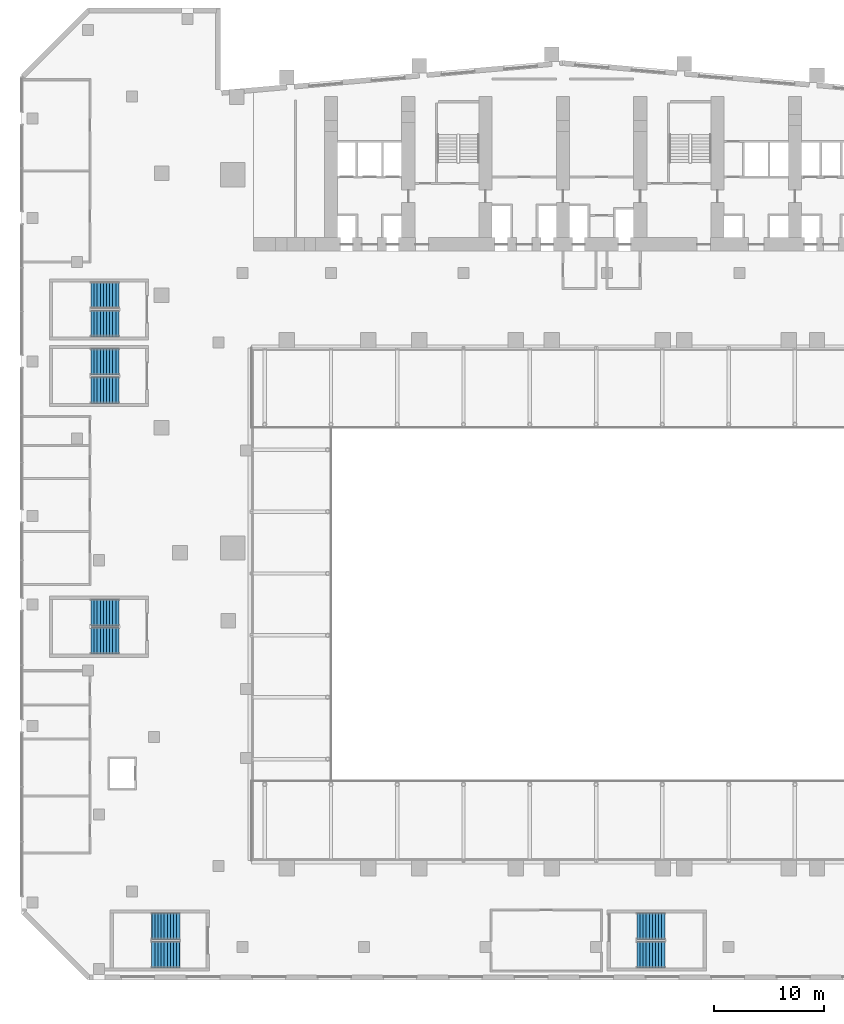
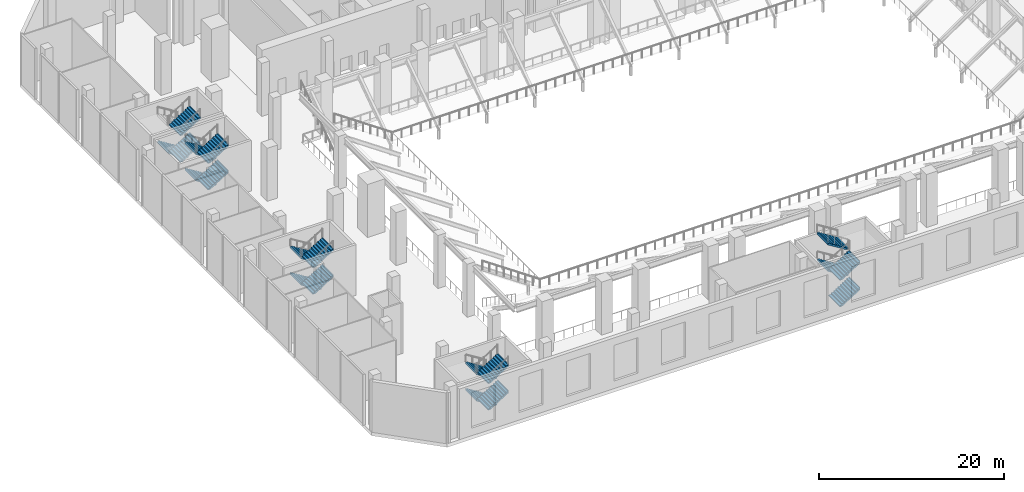
# One storey, part 28 of 41: 19 stair flights, 5 elements without a shape of their own.
"""IFC4 building model written with IfcOpenShell, lengths in metres."""

from ifc_helpers import new_model, si_unit, direction, frame, origin, place, context, subcontext, project, spatial, polyline, outline, extrude, material, type_object, element, aggregate, save


model = new_model("IFC4")

# Units and contexts
model_context = context("Model", 3, precision=1e-05, world=origin(), true_north=direction((0.0, 1.0)))
body_context = subcontext(model_context, "Body", "Model", "MODEL_VIEW")
ifc_project = project(units=[si_unit("LENGTHUNIT", "METRE"), si_unit("AREAUNIT", "SQUARE_METRE"), si_unit("VOLUMEUNIT", "CUBIC_METRE"), si_unit("PLANEANGLEUNIT", "RADIAN"), si_unit("MASSUNIT", "GRAM", prefix="KILO")], contexts=[model_context])

# Site, building, storey
site_placement = place(None, origin())
site = spatial("IfcSite", under=ifc_project, at=site_placement, CompositionType="ELEMENT")
building_placement = place(site_placement, origin())
building = spatial("IfcBuilding", under=site, at=building_placement, Name="Wharfspan Tower", CompositionType="ELEMENT")
storey_placement = place(building_placement, frame((0.0, 0.0, 8.0)))
storey = spatial("IfcBuildingStorey", under=building, at=storey_placement, Name="L01", CompositionType="ELEMENT", Elevation=8.0)

# Stair, stair flights
ifc_material = material(Name="Concrete C40/50", Category="concrete")
stair_type = type_object("IfcStairType", Name="Half-turn stair 2400 wide 40 risers 175 mm", PredefinedType="HALF_TURN_STAIR", material=ifc_material)
stair_1_placement = place(storey_placement, origin())
stair_1 = element("IfcStair", 1, at=stair_1_placement, inside=storey, type_object=stair_type, Name="L01 stair AS1", PredefinedType="HALF_TURN_STAIR")
stair_flight_type = type_object("IfcStairFlightType", Name="Stair flight 2400 wide 40 risers 175 mm", PredefinedType="STRAIGHT", material=ifc_material)
stair_flight_1_placement = place(storey_placement, frame((2.300049, -27.149902, 0.0), z_axis=(0.0, 0.0, 1.0), x_axis=(-1.0, 0.0, 0.0)))
stair_flight_1 = element("IfcStairFlight", 2, at=stair_flight_1_placement, type_object=stair_flight_type, Name="AS1 flight 1", NumberOfRisers=10, NumberOfTreads=9, PredefinedType="STRAIGHT", RiserHeight=0.175, TreadLength=0.28, context=body_context, shape_type="SweptSolid", body=[
    extrude(outline(polyline([(-0.011963, 0.0), (-0.011963, 0.175049), (0.0, 0.175049), (0.280029, 0.175049), (0.280029, 0.350098), (0.560059, 0.350098), (0.560059, 0.524902), (0.840088, 0.524902), (0.840088, 0.699951), (1.120117, 0.699951), (1.120117, 0.875), (1.399902, 0.875), (1.399902, 1.050049), (1.679932, 1.050049), (1.679932, 1.225098), (1.959961, 1.225098), (1.959961, 1.399902), (2.23999, 1.399902), (2.23999, 1.574951), (2.52002, 1.574951), (2.531982, 1.75), (2.531982, 1.398193), (0.282715, 0.0), (-0.011963, 0.0)])), frame((0.0, 1.199951, 0.0), z_axis=(0.0, -1.0, 0.0), x_axis=(1.0, 0.0, 0.0)), (0.0, 0.0, 1.0), 1.199463),
    extrude(outline(polyline([(-0.011963, 0.0), (-0.011963, 0.175049), (0.0, 0.175049), (0.280029, 0.175049), (0.280029, 0.350098), (0.560059, 0.350098), (0.560059, 0.524902), (0.840088, 0.524902), (0.840088, 0.699951), (1.120117, 0.699951), (1.120117, 0.875), (1.399902, 0.875), (1.399902, 1.050049), (1.679932, 1.050049), (1.679932, 1.225098), (1.959961, 1.225098), (1.959961, 1.399902), (2.23999, 1.399902), (2.23999, 1.574951), (2.52002, 1.574951), (2.531982, 1.75), (2.531982, 1.398193), (0.282715, 0.0), (-0.011963, 0.0)])), frame((0.0, -0.000488, 0.0), z_axis=(0.0, -1.0, 0.0), x_axis=(1.0, 0.0, 0.0)), (0.0, 0.0, 1.0), 1.199463),
])
stair_flight_2_placement = place(storey_placement, frame((-0.219971, -29.699951, 1.75), z_axis=(0.0, 0.0, 1.0), x_axis=(1.0, 0.0, 0.0)))
stair_flight_2 = element("IfcStairFlight", 3, at=stair_flight_2_placement, type_object=stair_flight_type, Name="AS1 flight 2", NumberOfRisers=10, NumberOfTreads=9, PredefinedType="STRAIGHT", RiserHeight=0.175, TreadLength=0.28, context=body_context, shape_type="SweptSolid", body=[
    extrude(outline(polyline([(-0.011963, 0.0), (-0.011963, 0.175049), (0.0, 0.175049), (0.280029, 0.175049), (0.280029, 0.350098), (0.560059, 0.350098), (0.560059, 0.524902), (0.840088, 0.524902), (0.840088, 0.699951), (1.120117, 0.699951), (1.120117, 0.875), (1.399902, 0.875), (1.399902, 1.050049), (1.679932, 1.050049), (1.679932, 1.225098), (1.959961, 1.225098), (1.959961, 1.399902), (2.23999, 1.399902), (2.23999, 1.574951), (2.52002, 1.574951), (2.531982, 1.75), (2.531982, 1.398193), (0.282715, 0.0), (-0.011963, 0.0)])), frame((0.0, 1.199951, 0.0), z_axis=(0.0, -1.0, 0.0), x_axis=(1.0, 0.0, 0.0)), (0.0, 0.0, 1.0), 1.199463),
    extrude(outline(polyline([(-0.011963, 0.0), (-0.011963, 0.175049), (0.0, 0.175049), (0.280029, 0.175049), (0.280029, 0.350098), (0.560059, 0.350098), (0.560059, 0.524902), (0.840088, 0.524902), (0.840088, 0.699951), (1.120117, 0.699951), (1.120117, 0.875), (1.399902, 0.875), (1.399902, 1.050049), (1.679932, 1.050049), (1.679932, 1.225098), (1.959961, 1.225098), (1.959961, 1.399902), (2.23999, 1.399902), (2.23999, 1.574951), (2.52002, 1.574951), (2.531982, 1.75), (2.531982, 1.398193), (0.282715, 0.0), (-0.011963, 0.0)])), frame((0.0, -0.000488, 0.0), z_axis=(0.0, -1.0, 0.0), x_axis=(1.0, 0.0, 0.0)), (0.0, 0.0, 1.0), 1.199463),
])
stair_flight_3_placement = place(storey_placement, frame((2.300049, -27.149902, 3.5), z_axis=(0.0, 0.0, 1.0), x_axis=(-1.0, 0.0, 0.0)))
stair_flight_3 = element("IfcStairFlight", 4, at=stair_flight_3_placement, type_object=stair_flight_type, Name="AS1 flight 3", NumberOfRisers=10, NumberOfTreads=9, PredefinedType="STRAIGHT", RiserHeight=0.175, TreadLength=0.28, context=body_context, shape_type="SweptSolid", body=[
    extrude(outline(polyline([(-0.011963, 0.0), (-0.011963, 0.175049), (0.0, 0.175049), (0.280029, 0.175049), (0.280029, 0.350098), (0.560059, 0.350098), (0.560059, 0.524902), (0.840088, 0.524902), (0.840088, 0.699951), (1.120117, 0.699951), (1.120117, 0.875), (1.399902, 0.875), (1.399902, 1.050049), (1.679932, 1.050049), (1.679932, 1.225098), (1.959961, 1.225098), (1.959961, 1.399902), (2.23999, 1.399902), (2.23999, 1.574951), (2.52002, 1.574951), (2.531982, 1.75), (2.531982, 1.398193), (0.282715, 0.0), (-0.011963, 0.0)])), frame((0.0, 1.199951, 0.0), z_axis=(0.0, -1.0, 0.0), x_axis=(1.0, 0.0, 0.0)), (0.0, 0.0, 1.0), 1.199463),
    extrude(outline(polyline([(-0.011963, 0.0), (-0.011963, 0.175049), (0.0, 0.175049), (0.280029, 0.175049), (0.280029, 0.350098), (0.560059, 0.350098), (0.560059, 0.524902), (0.840088, 0.524902), (0.840088, 0.699951), (1.120117, 0.699951), (1.120117, 0.875), (1.399902, 0.875), (1.399902, 1.050049), (1.679932, 1.050049), (1.679932, 1.225098), (1.959961, 1.225098), (1.959961, 1.399902), (2.23999, 1.399902), (2.23999, 1.574951), (2.52002, 1.574951), (2.531982, 1.75), (2.531982, 1.398193), (0.282715, 0.0), (-0.011963, 0.0)])), frame((0.0, -0.000488, 0.0), z_axis=(0.0, -1.0, 0.0), x_axis=(1.0, 0.0, 0.0)), (0.0, 0.0, 1.0), 1.199463),
])
stair_flight_4_placement = place(storey_placement, frame((-0.219971, -29.699951, 5.25), z_axis=(0.0, 0.0, 1.0), x_axis=(1.0, 0.0, 0.0)))
stair_flight_4 = element("IfcStairFlight", 5, at=stair_flight_4_placement, type_object=stair_flight_type, Name="AS1 flight 4", NumberOfRisers=10, NumberOfTreads=9, PredefinedType="STRAIGHT", RiserHeight=0.175, TreadLength=0.28, context=body_context, shape_type="SweptSolid", body=[
    extrude(outline(polyline([(-0.011963, 0.0), (-0.011963, 0.175049), (0.0, 0.175049), (0.280029, 0.175049), (0.280029, 0.350098), (0.560059, 0.350098), (0.560059, 0.524902), (0.840088, 0.524902), (0.840088, 0.699951), (1.120117, 0.699951), (1.120117, 0.875), (1.399902, 0.875), (1.399902, 1.050049), (1.679932, 1.050049), (1.679932, 1.225098), (1.959961, 1.225098), (1.959961, 1.399902), (2.23999, 1.399902), (2.23999, 1.574951), (2.52002, 1.574951), (2.531982, 1.75), (2.531982, 1.398193), (0.282715, 0.0), (-0.011963, 0.0)])), frame((0.0, 1.199951, 0.0), z_axis=(0.0, -1.0, 0.0), x_axis=(1.0, 0.0, 0.0)), (0.0, 0.0, 1.0), 1.199463),
    extrude(outline(polyline([(-0.011963, 0.0), (-0.011963, 0.175049), (0.0, 0.175049), (0.280029, 0.175049), (0.280029, 0.350098), (0.560059, 0.350098), (0.560059, 0.524902), (0.840088, 0.524902), (0.840088, 0.699951), (1.120117, 0.699951), (1.120117, 0.875), (1.399902, 0.875), (1.399902, 1.050049), (1.679932, 1.050049), (1.679932, 1.225098), (1.959961, 1.225098), (1.959961, 1.399902), (2.23999, 1.399902), (2.23999, 1.574951), (2.52002, 1.574951), (2.531982, 1.75), (2.531982, 1.398193), (0.282715, 0.0), (-0.011963, 0.0)])), frame((0.0, -0.000488, 0.0), z_axis=(0.0, -1.0, 0.0), x_axis=(1.0, 0.0, 0.0)), (0.0, 0.0, 1.0), 1.199463),
])
aggregate(stair_1, [stair_flight_1, stair_flight_2, stair_flight_3, stair_flight_4])

stair_2_placement = place(storey_placement, origin())
stair_2 = element("IfcStair", 6, at=stair_2_placement, inside=storey, type_object=stair_type, Name="L01 stair AS5", PredefinedType="HALF_TURN_STAIR")
stair_flight_5_placement = place(storey_placement, frame((43.699951, -29.699951, 0.0), z_axis=(0.0, 0.0, 1.0), x_axis=(1.0, 0.0, 0.0)))
stair_flight_5 = element("IfcStairFlight", 7, at=stair_flight_5_placement, type_object=stair_flight_type, Name="AS5 flight 1", NumberOfRisers=10, NumberOfTreads=9, PredefinedType="STRAIGHT", RiserHeight=0.175, TreadLength=0.28, context=body_context, shape_type="SweptSolid", body=[
    extrude(outline(polyline([(-0.011963, 0.0), (-0.011963, 0.175049), (0.0, 0.175049), (0.280029, 0.175049), (0.280029, 0.350098), (0.560059, 0.350098), (0.560059, 0.524902), (0.840088, 0.524902), (0.840088, 0.699951), (1.120117, 0.699951), (1.120117, 0.875), (1.399902, 0.875), (1.399902, 1.050049), (1.679932, 1.050049), (1.679932, 1.225098), (1.959961, 1.225098), (1.959961, 1.399902), (2.23999, 1.399902), (2.23999, 1.574951), (2.52002, 1.574951), (2.531982, 1.75), (2.531982, 1.398193), (0.282715, 0.0), (-0.011963, 0.0)])), frame((0.0, 1.199951, 0.0), z_axis=(0.0, -1.0, 0.0), x_axis=(1.0, 0.0, 0.0)), (0.0, 0.0, 1.0), 1.199463),
    extrude(outline(polyline([(-0.011963, 0.0), (-0.011963, 0.175049), (0.0, 0.175049), (0.280029, 0.175049), (0.280029, 0.350098), (0.560059, 0.350098), (0.560059, 0.524902), (0.840088, 0.524902), (0.840088, 0.699951), (1.120117, 0.699951), (1.120117, 0.875), (1.399902, 0.875), (1.399902, 1.050049), (1.679932, 1.050049), (1.679932, 1.225098), (1.959961, 1.225098), (1.959961, 1.399902), (2.23999, 1.399902), (2.23999, 1.574951), (2.52002, 1.574951), (2.531982, 1.75), (2.531982, 1.398193), (0.282715, 0.0), (-0.011963, 0.0)])), frame((0.0, -0.000488, 0.0), z_axis=(0.0, -1.0, 0.0), x_axis=(1.0, 0.0, 0.0)), (0.0, 0.0, 1.0), 1.199463),
])
stair_flight_6_placement = place(storey_placement, frame((46.219971, -27.149902, 1.75), z_axis=(0.0, 0.0, 1.0), x_axis=(-1.0, 0.0, 0.0)))
stair_flight_6 = element("IfcStairFlight", 8, at=stair_flight_6_placement, type_object=stair_flight_type, Name="AS5 flight 2", NumberOfRisers=10, NumberOfTreads=9, PredefinedType="STRAIGHT", RiserHeight=0.175, TreadLength=0.28, context=body_context, shape_type="SweptSolid", body=[
    extrude(outline(polyline([(-0.011963, 0.0), (-0.011963, 0.175049), (0.0, 0.175049), (0.280029, 0.175049), (0.280029, 0.350098), (0.560059, 0.350098), (0.560059, 0.524902), (0.840088, 0.524902), (0.840088, 0.699951), (1.120117, 0.699951), (1.120117, 0.875), (1.399902, 0.875), (1.399902, 1.050049), (1.679932, 1.050049), (1.679932, 1.225098), (1.959961, 1.225098), (1.959961, 1.399902), (2.23999, 1.399902), (2.23999, 1.574951), (2.52002, 1.574951), (2.531982, 1.75), (2.531982, 1.398193), (0.282715, 0.0), (-0.011963, 0.0)])), frame((0.0, 1.199951, 0.0), z_axis=(0.0, -1.0, 0.0), x_axis=(1.0, 0.0, 0.0)), (0.0, 0.0, 1.0), 1.199463),
    extrude(outline(polyline([(-0.011963, 0.0), (-0.011963, 0.175049), (0.0, 0.175049), (0.280029, 0.175049), (0.280029, 0.350098), (0.560059, 0.350098), (0.560059, 0.524902), (0.840088, 0.524902), (0.840088, 0.699951), (1.120117, 0.699951), (1.120117, 0.875), (1.399902, 0.875), (1.399902, 1.050049), (1.679932, 1.050049), (1.679932, 1.225098), (1.959961, 1.225098), (1.959961, 1.399902), (2.23999, 1.399902), (2.23999, 1.574951), (2.52002, 1.574951), (2.531982, 1.75), (2.531982, 1.398193), (0.282715, 0.0), (-0.011963, 0.0)])), frame((0.0, -0.000488, 0.0), z_axis=(0.0, -1.0, 0.0), x_axis=(1.0, 0.0, 0.0)), (0.0, 0.0, 1.0), 1.199463),
])
stair_flight_7_placement = place(storey_placement, frame((43.699951, -29.699951, 3.5), z_axis=(0.0, 0.0, 1.0), x_axis=(1.0, 0.0, 0.0)))
stair_flight_7 = element("IfcStairFlight", 9, at=stair_flight_7_placement, type_object=stair_flight_type, Name="AS5 flight 3", NumberOfRisers=10, NumberOfTreads=9, PredefinedType="STRAIGHT", RiserHeight=0.175, TreadLength=0.28, context=body_context, shape_type="SweptSolid", body=[
    extrude(outline(polyline([(-0.011963, 0.0), (-0.011963, 0.175049), (0.0, 0.175049), (0.280029, 0.175049), (0.280029, 0.350098), (0.560059, 0.350098), (0.560059, 0.524902), (0.840088, 0.524902), (0.840088, 0.699951), (1.120117, 0.699951), (1.120117, 0.875), (1.399902, 0.875), (1.399902, 1.050049), (1.679932, 1.050049), (1.679932, 1.225098), (1.959961, 1.225098), (1.959961, 1.399902), (2.23999, 1.399902), (2.23999, 1.574951), (2.52002, 1.574951), (2.531982, 1.75), (2.531982, 1.398193), (0.282715, 0.0), (-0.011963, 0.0)])), frame((0.0, 1.199951, 0.0), z_axis=(0.0, -1.0, 0.0), x_axis=(1.0, 0.0, 0.0)), (0.0, 0.0, 1.0), 1.199463),
    extrude(outline(polyline([(-0.011963, 0.0), (-0.011963, 0.175049), (0.0, 0.175049), (0.280029, 0.175049), (0.280029, 0.350098), (0.560059, 0.350098), (0.560059, 0.524902), (0.840088, 0.524902), (0.840088, 0.699951), (1.120117, 0.699951), (1.120117, 0.875), (1.399902, 0.875), (1.399902, 1.050049), (1.679932, 1.050049), (1.679932, 1.225098), (1.959961, 1.225098), (1.959961, 1.399902), (2.23999, 1.399902), (2.23999, 1.574951), (2.52002, 1.574951), (2.531982, 1.75), (2.531982, 1.398193), (0.282715, 0.0), (-0.011963, 0.0)])), frame((0.0, -0.000488, 0.0), z_axis=(0.0, -1.0, 0.0), x_axis=(1.0, 0.0, 0.0)), (0.0, 0.0, 1.0), 1.199463),
])
stair_flight_8_placement = place(storey_placement, frame((46.219971, -27.149902, 5.25), z_axis=(0.0, 0.0, 1.0), x_axis=(-1.0, 0.0, 0.0)))
stair_flight_8 = element("IfcStairFlight", 10, at=stair_flight_8_placement, type_object=stair_flight_type, Name="AS5 flight 4", NumberOfRisers=10, NumberOfTreads=9, PredefinedType="STRAIGHT", RiserHeight=0.175, TreadLength=0.28, context=body_context, shape_type="SweptSolid", body=[
    extrude(outline(polyline([(-0.011963, 0.0), (-0.011963, 0.175049), (0.0, 0.175049), (0.280029, 0.175049), (0.280029, 0.350098), (0.560059, 0.350098), (0.560059, 0.524902), (0.840088, 0.524902), (0.840088, 0.699951), (1.120117, 0.699951), (1.120117, 0.875), (1.399902, 0.875), (1.399902, 1.050049), (1.679932, 1.050049), (1.679932, 1.225098), (1.959961, 1.225098), (1.959961, 1.399902), (2.23999, 1.399902), (2.23999, 1.574951), (2.52002, 1.574951), (2.531982, 1.75), (2.531982, 1.398193), (0.282715, 0.0), (-0.011963, 0.0)])), frame((0.0, 1.199951, 0.0), z_axis=(0.0, -1.0, 0.0), x_axis=(1.0, 0.0, 0.0)), (0.0, 0.0, 1.0), 1.199463),
    extrude(outline(polyline([(-0.011963, 0.0), (-0.011963, 0.175049), (0.0, 0.175049), (0.280029, 0.175049), (0.280029, 0.350098), (0.560059, 0.350098), (0.560059, 0.524902), (0.840088, 0.524902), (0.840088, 0.699951), (1.120117, 0.699951), (1.120117, 0.875), (1.399902, 0.875), (1.399902, 1.050049), (1.679932, 1.050049), (1.679932, 1.225098), (1.959961, 1.225098), (1.959961, 1.399902), (2.23999, 1.399902), (2.23999, 1.574951), (2.52002, 1.574951), (2.531982, 1.75), (2.531982, 1.398193), (0.282715, 0.0), (-0.011963, 0.0)])), frame((0.0, -0.000488, 0.0), z_axis=(0.0, -1.0, 0.0), x_axis=(1.0, 0.0, 0.0)), (0.0, 0.0, 1.0), 1.199463),
])
aggregate(stair_2, [stair_flight_5, stair_flight_6, stair_flight_7, stair_flight_8])

stair_3_placement = place(storey_placement, origin())
stair_3 = element("IfcStair", 11, at=stair_3_placement, inside=storey, type_object=stair_type, Name="L01 stair AS7", PredefinedType="HALF_TURN_STAIR")
stair_flight_9_placement = place(storey_placement, frame((-3.199951, 1.25, 0.0), z_axis=(0.0, 0.0, 1.0), x_axis=(-1.0, 0.0, 0.0)))
stair_flight_9 = element("IfcStairFlight", 12, at=stair_flight_9_placement, type_object=stair_flight_type, Name="AS7 flight 1", NumberOfRisers=10, NumberOfTreads=9, PredefinedType="STRAIGHT", RiserHeight=0.175, TreadLength=0.28, context=body_context, shape_type="SweptSolid", body=[
    extrude(outline(polyline([(-0.011963, 0.0), (-0.011963, 0.175049), (0.0, 0.175049), (0.280029, 0.175049), (0.280029, 0.350098), (0.560059, 0.350098), (0.560059, 0.524902), (0.840088, 0.524902), (0.840088, 0.699951), (1.120117, 0.699951), (1.120117, 0.875), (1.399902, 0.875), (1.399902, 1.050049), (1.679932, 1.050049), (1.679932, 1.225098), (1.959961, 1.225098), (1.959961, 1.399902), (2.23999, 1.399902), (2.23999, 1.574951), (2.52002, 1.574951), (2.531982, 1.75), (2.531982, 1.398193), (0.282715, 0.0), (-0.011963, 0.0)])), frame((0.0, 1.199951, 0.0), z_axis=(0.0, -1.0, 0.0), x_axis=(1.0, 0.0, 0.0)), (0.0, 0.0, 1.0), 1.199463),
    extrude(outline(polyline([(-0.011963, 0.0), (-0.011963, 0.175049), (0.0, 0.175049), (0.280029, 0.175049), (0.280029, 0.350098), (0.560059, 0.350098), (0.560059, 0.524902), (0.840088, 0.524902), (0.840088, 0.699951), (1.120117, 0.699951), (1.120117, 0.875), (1.399902, 0.875), (1.399902, 1.050049), (1.679932, 1.050049), (1.679932, 1.225098), (1.959961, 1.225098), (1.959961, 1.399902), (2.23999, 1.399902), (2.23999, 1.574951), (2.52002, 1.574951), (2.531982, 1.75), (2.531982, 1.398193), (0.282715, 0.0), (-0.011963, 0.0)])), frame((0.0, -0.000488, 0.0), z_axis=(0.0, -1.0, 0.0), x_axis=(1.0, 0.0, 0.0)), (0.0, 0.0, 1.0), 1.199463),
])
stair_flight_10_placement = place(storey_placement, frame((-5.719971, -1.300049, 1.75), z_axis=(0.0, 0.0, 1.0), x_axis=(1.0, 0.0, 0.0)))
stair_flight_10 = element("IfcStairFlight", 13, at=stair_flight_10_placement, type_object=stair_flight_type, Name="AS7 flight 2", NumberOfRisers=10, NumberOfTreads=9, PredefinedType="STRAIGHT", RiserHeight=0.175, TreadLength=0.28, context=body_context, shape_type="SweptSolid", body=[
    extrude(outline(polyline([(-0.011963, 0.0), (-0.011963, 0.175049), (0.0, 0.175049), (0.280029, 0.175049), (0.280029, 0.350098), (0.560059, 0.350098), (0.560059, 0.524902), (0.840088, 0.524902), (0.840088, 0.699951), (1.120117, 0.699951), (1.120117, 0.875), (1.399902, 0.875), (1.399902, 1.050049), (1.679932, 1.050049), (1.679932, 1.225098), (1.959961, 1.225098), (1.959961, 1.399902), (2.23999, 1.399902), (2.23999, 1.574951), (2.52002, 1.574951), (2.531982, 1.75), (2.531982, 1.398193), (0.282715, 0.0), (-0.011963, 0.0)])), frame((0.0, 1.199951, 0.0), z_axis=(0.0, -1.0, 0.0), x_axis=(1.0, 0.0, 0.0)), (0.0, 0.0, 1.0), 1.199463),
    extrude(outline(polyline([(-0.011963, 0.0), (-0.011963, 0.175049), (0.0, 0.175049), (0.280029, 0.175049), (0.280029, 0.350098), (0.560059, 0.350098), (0.560059, 0.524902), (0.840088, 0.524902), (0.840088, 0.699951), (1.120117, 0.699951), (1.120117, 0.875), (1.399902, 0.875), (1.399902, 1.050049), (1.679932, 1.050049), (1.679932, 1.225098), (1.959961, 1.225098), (1.959961, 1.399902), (2.23999, 1.399902), (2.23999, 1.574951), (2.52002, 1.574951), (2.531982, 1.75), (2.531982, 1.398193), (0.282715, 0.0), (-0.011963, 0.0)])), frame((0.0, -0.000488, 0.0), z_axis=(0.0, -1.0, 0.0), x_axis=(1.0, 0.0, 0.0)), (0.0, 0.0, 1.0), 1.199463),
])
stair_flight_11_placement = place(storey_placement, frame((-3.199951, 1.25, 3.5), z_axis=(0.0, 0.0, 1.0), x_axis=(-1.0, 0.0, 0.0)))
stair_flight_11 = element("IfcStairFlight", 14, at=stair_flight_11_placement, type_object=stair_flight_type, Name="AS7 flight 3", NumberOfRisers=10, NumberOfTreads=9, PredefinedType="STRAIGHT", RiserHeight=0.175, TreadLength=0.28, context=body_context, shape_type="SweptSolid", body=[
    extrude(outline(polyline([(-0.011963, 0.0), (-0.011963, 0.175049), (0.0, 0.175049), (0.280029, 0.175049), (0.280029, 0.350098), (0.560059, 0.350098), (0.560059, 0.524902), (0.840088, 0.524902), (0.840088, 0.699951), (1.120117, 0.699951), (1.120117, 0.875), (1.399902, 0.875), (1.399902, 1.050049), (1.679932, 1.050049), (1.679932, 1.225098), (1.959961, 1.225098), (1.959961, 1.399902), (2.23999, 1.399902), (2.23999, 1.574951), (2.52002, 1.574951), (2.531982, 1.75), (2.531982, 1.398193), (0.282715, 0.0), (-0.011963, 0.0)])), frame((0.0, 1.199951, 0.0), z_axis=(0.0, -1.0, 0.0), x_axis=(1.0, 0.0, 0.0)), (0.0, 0.0, 1.0), 1.199463),
    extrude(outline(polyline([(-0.011963, 0.0), (-0.011963, 0.175049), (0.0, 0.175049), (0.280029, 0.175049), (0.280029, 0.350098), (0.560059, 0.350098), (0.560059, 0.524902), (0.840088, 0.524902), (0.840088, 0.699951), (1.120117, 0.699951), (1.120117, 0.875), (1.399902, 0.875), (1.399902, 1.050049), (1.679932, 1.050049), (1.679932, 1.225098), (1.959961, 1.225098), (1.959961, 1.399902), (2.23999, 1.399902), (2.23999, 1.574951), (2.52002, 1.574951), (2.531982, 1.75), (2.531982, 1.398193), (0.282715, 0.0), (-0.011963, 0.0)])), frame((0.0, -0.000488, 0.0), z_axis=(0.0, -1.0, 0.0), x_axis=(1.0, 0.0, 0.0)), (0.0, 0.0, 1.0), 1.199463),
])
stair_flight_12_placement = place(storey_placement, frame((-5.719971, -1.300049, 5.25), z_axis=(0.0, 0.0, 1.0), x_axis=(1.0, 0.0, 0.0)))
stair_flight_12 = element("IfcStairFlight", 15, at=stair_flight_12_placement, type_object=stair_flight_type, Name="AS7 flight 4", NumberOfRisers=10, NumberOfTreads=9, PredefinedType="STRAIGHT", RiserHeight=0.175, TreadLength=0.28, context=body_context, shape_type="SweptSolid", body=[
    extrude(outline(polyline([(-0.011963, 0.0), (-0.011963, 0.175049), (0.0, 0.175049), (0.280029, 0.175049), (0.280029, 0.350098), (0.560059, 0.350098), (0.560059, 0.524902), (0.840088, 0.524902), (0.840088, 0.699951), (1.120117, 0.699951), (1.120117, 0.875), (1.399902, 0.875), (1.399902, 1.050049), (1.679932, 1.050049), (1.679932, 1.225098), (1.959961, 1.225098), (1.959961, 1.399902), (2.23999, 1.399902), (2.23999, 1.574951), (2.52002, 1.574951), (2.531982, 1.75), (2.531982, 1.398193), (0.282715, 0.0), (-0.011963, 0.0)])), frame((0.0, 1.199951, 0.0), z_axis=(0.0, -1.0, 0.0), x_axis=(1.0, 0.0, 0.0)), (0.0, 0.0, 1.0), 1.199463),
    extrude(outline(polyline([(-0.011963, 0.0), (-0.011963, 0.175049), (0.0, 0.175049), (0.280029, 0.175049), (0.280029, 0.350098), (0.560059, 0.350098), (0.560059, 0.524902), (0.840088, 0.524902), (0.840088, 0.699951), (1.120117, 0.699951), (1.120117, 0.875), (1.399902, 0.875), (1.399902, 1.050049), (1.679932, 1.050049), (1.679932, 1.225098), (1.959961, 1.225098), (1.959961, 1.399902), (2.23999, 1.399902), (2.23999, 1.574951), (2.52002, 1.574951), (2.531982, 1.75), (2.531982, 1.398193), (0.282715, 0.0), (-0.011963, 0.0)])), frame((0.0, -0.000488, 0.0), z_axis=(0.0, -1.0, 0.0), x_axis=(1.0, 0.0, 0.0)), (0.0, 0.0, 1.0), 1.199463),
])
aggregate(stair_3, [stair_flight_9, stair_flight_10, stair_flight_11, stair_flight_12])

stair_4_placement = place(storey_placement, origin())
stair_4 = element("IfcStair", 16, at=stair_4_placement, inside=storey, type_object=stair_type, Name="L01 stair AS3", PredefinedType="HALF_TURN_STAIR")
stair_flight_13_placement = place(storey_placement, frame((-3.199951, 23.949951, 0.0), z_axis=(0.0, 0.0, 1.0), x_axis=(-1.0, 0.0, 0.0)))
stair_flight_13 = element("IfcStairFlight", 17, at=stair_flight_13_placement, type_object=stair_flight_type, Name="AS3 flight 1", NumberOfRisers=10, NumberOfTreads=9, PredefinedType="STRAIGHT", RiserHeight=0.175, TreadLength=0.28, context=body_context, shape_type="SweptSolid", body=[
    extrude(outline(polyline([(-0.011963, 0.0), (-0.011963, 0.175049), (0.0, 0.175049), (0.280029, 0.175049), (0.280029, 0.350098), (0.560059, 0.350098), (0.560059, 0.524902), (0.840088, 0.524902), (0.840088, 0.699951), (1.120117, 0.699951), (1.120117, 0.875), (1.399902, 0.875), (1.399902, 1.050049), (1.679932, 1.050049), (1.679932, 1.225098), (1.959961, 1.225098), (1.959961, 1.399902), (2.23999, 1.399902), (2.23999, 1.574951), (2.52002, 1.574951), (2.531982, 1.75), (2.531982, 1.398193), (0.282715, 0.0), (-0.011963, 0.0)])), frame((0.0, 1.199951, 0.0), z_axis=(0.0, -1.0, 0.0), x_axis=(1.0, 0.0, 0.0)), (0.0, 0.0, 1.0), 1.199463),
    extrude(outline(polyline([(-0.011963, 0.0), (-0.011963, 0.175049), (0.0, 0.175049), (0.280029, 0.175049), (0.280029, 0.350098), (0.560059, 0.350098), (0.560059, 0.524902), (0.840088, 0.524902), (0.840088, 0.699951), (1.120117, 0.699951), (1.120117, 0.875), (1.399902, 0.875), (1.399902, 1.050049), (1.679932, 1.050049), (1.679932, 1.225098), (1.959961, 1.225098), (1.959961, 1.399902), (2.23999, 1.399902), (2.23999, 1.574951), (2.52002, 1.574951), (2.531982, 1.75), (2.531982, 1.398193), (0.282715, 0.0), (-0.011963, 0.0)])), frame((0.0, -0.000488, 0.0), z_axis=(0.0, -1.0, 0.0), x_axis=(1.0, 0.0, 0.0)), (0.0, 0.0, 1.0), 1.199463),
])
stair_flight_14_placement = place(storey_placement, frame((-5.719971, 21.399902, 1.75), z_axis=(0.0, 0.0, 1.0), x_axis=(1.0, 0.0, 0.0)))
stair_flight_14 = element("IfcStairFlight", 18, at=stair_flight_14_placement, type_object=stair_flight_type, Name="AS3 flight 2", NumberOfRisers=10, NumberOfTreads=9, PredefinedType="STRAIGHT", RiserHeight=0.175, TreadLength=0.28, context=body_context, shape_type="SweptSolid", body=[
    extrude(outline(polyline([(-0.011963, 0.0), (-0.011963, 0.175049), (0.0, 0.175049), (0.280029, 0.175049), (0.280029, 0.350098), (0.560059, 0.350098), (0.560059, 0.524902), (0.840088, 0.524902), (0.840088, 0.699951), (1.120117, 0.699951), (1.120117, 0.875), (1.399902, 0.875), (1.399902, 1.050049), (1.679932, 1.050049), (1.679932, 1.225098), (1.959961, 1.225098), (1.959961, 1.399902), (2.23999, 1.399902), (2.23999, 1.574951), (2.52002, 1.574951), (2.531982, 1.75), (2.531982, 1.398193), (0.282715, 0.0), (-0.011963, 0.0)])), frame((0.0, 1.199951, 0.0), z_axis=(0.0, -1.0, 0.0), x_axis=(1.0, 0.0, 0.0)), (0.0, 0.0, 1.0), 1.199463),
    extrude(outline(polyline([(-0.011963, 0.0), (-0.011963, 0.175049), (0.0, 0.175049), (0.280029, 0.175049), (0.280029, 0.350098), (0.560059, 0.350098), (0.560059, 0.524902), (0.840088, 0.524902), (0.840088, 0.699951), (1.120117, 0.699951), (1.120117, 0.875), (1.399902, 0.875), (1.399902, 1.050049), (1.679932, 1.050049), (1.679932, 1.225098), (1.959961, 1.225098), (1.959961, 1.399902), (2.23999, 1.399902), (2.23999, 1.574951), (2.52002, 1.574951), (2.531982, 1.75), (2.531982, 1.398193), (0.282715, 0.0), (-0.011963, 0.0)])), frame((0.0, -0.000488, 0.0), z_axis=(0.0, -1.0, 0.0), x_axis=(1.0, 0.0, 0.0)), (0.0, 0.0, 1.0), 1.199463),
])
stair_flight_15_placement = place(storey_placement, frame((-3.199951, 23.949951, 3.5), z_axis=(0.0, 0.0, 1.0), x_axis=(-1.0, 0.0, 0.0)))
stair_flight_15 = element("IfcStairFlight", 19, at=stair_flight_15_placement, type_object=stair_flight_type, Name="AS3 flight 3", NumberOfRisers=10, NumberOfTreads=9, PredefinedType="STRAIGHT", RiserHeight=0.175, TreadLength=0.28, context=body_context, shape_type="SweptSolid", body=[
    extrude(outline(polyline([(-0.011963, 0.0), (-0.011963, 0.175049), (0.0, 0.175049), (0.280029, 0.175049), (0.280029, 0.350098), (0.560059, 0.350098), (0.560059, 0.524902), (0.840088, 0.524902), (0.840088, 0.699951), (1.120117, 0.699951), (1.120117, 0.875), (1.399902, 0.875), (1.399902, 1.050049), (1.679932, 1.050049), (1.679932, 1.225098), (1.959961, 1.225098), (1.959961, 1.399902), (2.23999, 1.399902), (2.23999, 1.574951), (2.52002, 1.574951), (2.531982, 1.75), (2.531982, 1.398193), (0.282715, 0.0), (-0.011963, 0.0)])), frame((0.0, 1.199951, 0.0), z_axis=(0.0, -1.0, 0.0), x_axis=(1.0, 0.0, 0.0)), (0.0, 0.0, 1.0), 1.199463),
    extrude(outline(polyline([(-0.011963, 0.0), (-0.011963, 0.175049), (0.0, 0.175049), (0.280029, 0.175049), (0.280029, 0.350098), (0.560059, 0.350098), (0.560059, 0.524902), (0.840088, 0.524902), (0.840088, 0.699951), (1.120117, 0.699951), (1.120117, 0.875), (1.399902, 0.875), (1.399902, 1.050049), (1.679932, 1.050049), (1.679932, 1.225098), (1.959961, 1.225098), (1.959961, 1.399902), (2.23999, 1.399902), (2.23999, 1.574951), (2.52002, 1.574951), (2.531982, 1.75), (2.531982, 1.398193), (0.282715, 0.0), (-0.011963, 0.0)])), frame((0.0, -0.000488, 0.0), z_axis=(0.0, -1.0, 0.0), x_axis=(1.0, 0.0, 0.0)), (0.0, 0.0, 1.0), 1.199463),
])
stair_flight_16_placement = place(storey_placement, frame((-5.719971, 21.399902, 5.25), z_axis=(0.0, 0.0, 1.0), x_axis=(1.0, 0.0, 0.0)))
stair_flight_16 = element("IfcStairFlight", 20, at=stair_flight_16_placement, type_object=stair_flight_type, Name="AS3 flight 4", NumberOfRisers=10, NumberOfTreads=9, PredefinedType="STRAIGHT", RiserHeight=0.175, TreadLength=0.28, context=body_context, shape_type="SweptSolid", body=[
    extrude(outline(polyline([(-0.011963, 0.0), (-0.011963, 0.175049), (0.0, 0.175049), (0.280029, 0.175049), (0.280029, 0.350098), (0.560059, 0.350098), (0.560059, 0.524902), (0.840088, 0.524902), (0.840088, 0.699951), (1.120117, 0.699951), (1.120117, 0.875), (1.399902, 0.875), (1.399902, 1.050049), (1.679932, 1.050049), (1.679932, 1.225098), (1.959961, 1.225098), (1.959961, 1.399902), (2.23999, 1.399902), (2.23999, 1.574951), (2.52002, 1.574951), (2.531982, 1.75), (2.531982, 1.398193), (0.282715, 0.0), (-0.011963, 0.0)])), frame((0.0, 1.199951, 0.0), z_axis=(0.0, -1.0, 0.0), x_axis=(1.0, 0.0, 0.0)), (0.0, 0.0, 1.0), 1.199463),
    extrude(outline(polyline([(-0.011963, 0.0), (-0.011963, 0.175049), (0.0, 0.175049), (0.280029, 0.175049), (0.280029, 0.350098), (0.560059, 0.350098), (0.560059, 0.524902), (0.840088, 0.524902), (0.840088, 0.699951), (1.120117, 0.699951), (1.120117, 0.875), (1.399902, 0.875), (1.399902, 1.050049), (1.679932, 1.050049), (1.679932, 1.225098), (1.959961, 1.225098), (1.959961, 1.399902), (2.23999, 1.399902), (2.23999, 1.574951), (2.52002, 1.574951), (2.531982, 1.75), (2.531982, 1.398193), (0.282715, 0.0), (-0.011963, 0.0)])), frame((0.0, -0.000488, 0.0), z_axis=(0.0, -1.0, 0.0), x_axis=(1.0, 0.0, 0.0)), (0.0, 0.0, 1.0), 1.199463),
])
aggregate(stair_4, [stair_flight_13, stair_flight_14, stair_flight_15, stair_flight_16])

stair_5_placement = place(storey_placement, origin())
stair_5 = element("IfcStair", 21, at=stair_5_placement, inside=storey, type_object=stair_type, Name="L01 stair PS3", PredefinedType="HALF_TURN_STAIR")
stair_flight_17_placement = place(storey_placement, frame((-3.199951, 29.975098, 0.0), z_axis=(0.0, 0.0, 1.0), x_axis=(-1.0, 0.0, 0.0)))
stair_flight_17 = element("IfcStairFlight", 22, at=stair_flight_17_placement, type_object=stair_flight_type, Name="PS3 flight 1", NumberOfRisers=10, NumberOfTreads=9, PredefinedType="STRAIGHT", RiserHeight=0.175, TreadLength=0.28, context=body_context, shape_type="SweptSolid", body=[
    extrude(outline(polyline([(-0.011963, 0.0), (-0.011963, 0.175049), (0.0, 0.175049), (0.280029, 0.175049), (0.280029, 0.350098), (0.560059, 0.350098), (0.560059, 0.524902), (0.840088, 0.524902), (0.840088, 0.699951), (1.120117, 0.699951), (1.120117, 0.875), (1.399902, 0.875), (1.399902, 1.050049), (1.679932, 1.050049), (1.679932, 1.225098), (1.959961, 1.225098), (1.959961, 1.399902), (2.23999, 1.399902), (2.23999, 1.574951), (2.52002, 1.574951), (2.531982, 1.75), (2.531982, 1.398193), (0.282715, 0.0), (-0.011963, 0.0)])), frame((0.0, 1.199951, 0.0), z_axis=(0.0, -1.0, 0.0), x_axis=(1.0, 0.0, 0.0)), (0.0, 0.0, 1.0), 1.199463),
    extrude(outline(polyline([(-0.011963, 0.0), (-0.011963, 0.175049), (0.0, 0.175049), (0.280029, 0.175049), (0.280029, 0.350098), (0.560059, 0.350098), (0.560059, 0.524902), (0.840088, 0.524902), (0.840088, 0.699951), (1.120117, 0.699951), (1.120117, 0.875), (1.399902, 0.875), (1.399902, 1.050049), (1.679932, 1.050049), (1.679932, 1.225098), (1.959961, 1.225098), (1.959961, 1.399902), (2.23999, 1.399902), (2.23999, 1.574951), (2.52002, 1.574951), (2.531982, 1.75), (2.531982, 1.398193), (0.282715, 0.0), (-0.011963, 0.0)])), frame((0.0, -0.000488, 0.0), z_axis=(0.0, -1.0, 0.0), x_axis=(1.0, 0.0, 0.0)), (0.0, 0.0, 1.0), 1.199463),
])
stair_flight_18_placement = place(storey_placement, frame((-5.719971, 27.425049, 1.75), z_axis=(0.0, 0.0, 1.0), x_axis=(1.0, 0.0, 0.0)))
stair_flight_18 = element("IfcStairFlight", 23, at=stair_flight_18_placement, type_object=stair_flight_type, Name="PS3 flight 2", NumberOfRisers=10, NumberOfTreads=9, PredefinedType="STRAIGHT", RiserHeight=0.175, TreadLength=0.28, context=body_context, shape_type="SweptSolid", body=[
    extrude(outline(polyline([(-0.011963, 0.0), (-0.011963, 0.175049), (0.0, 0.175049), (0.280029, 0.175049), (0.280029, 0.350098), (0.560059, 0.350098), (0.560059, 0.524902), (0.840088, 0.524902), (0.840088, 0.699951), (1.120117, 0.699951), (1.120117, 0.875), (1.399902, 0.875), (1.399902, 1.050049), (1.679932, 1.050049), (1.679932, 1.225098), (1.959961, 1.225098), (1.959961, 1.399902), (2.23999, 1.399902), (2.23999, 1.574951), (2.52002, 1.574951), (2.531982, 1.75), (2.531982, 1.398193), (0.282715, 0.0), (-0.011963, 0.0)])), frame((0.0, 1.199951, 0.0), z_axis=(0.0, -1.0, 0.0), x_axis=(1.0, 0.0, 0.0)), (0.0, 0.0, 1.0), 1.199463),
    extrude(outline(polyline([(-0.011963, 0.0), (-0.011963, 0.175049), (0.0, 0.175049), (0.280029, 0.175049), (0.280029, 0.350098), (0.560059, 0.350098), (0.560059, 0.524902), (0.840088, 0.524902), (0.840088, 0.699951), (1.120117, 0.699951), (1.120117, 0.875), (1.399902, 0.875), (1.399902, 1.050049), (1.679932, 1.050049), (1.679932, 1.225098), (1.959961, 1.225098), (1.959961, 1.399902), (2.23999, 1.399902), (2.23999, 1.574951), (2.52002, 1.574951), (2.531982, 1.75), (2.531982, 1.398193), (0.282715, 0.0), (-0.011963, 0.0)])), frame((0.0, -0.000488, 0.0), z_axis=(0.0, -1.0, 0.0), x_axis=(1.0, 0.0, 0.0)), (0.0, 0.0, 1.0), 1.199463),
])
stair_flight_19_placement = place(storey_placement, frame((-5.719971, 27.425049, 5.25), z_axis=(0.0, 0.0, 1.0), x_axis=(1.0, 0.0, 0.0)))
stair_flight_19 = element("IfcStairFlight", 24, at=stair_flight_19_placement, type_object=stair_flight_type, Name="PS3 flight 4", NumberOfRisers=10, NumberOfTreads=9, PredefinedType="STRAIGHT", RiserHeight=0.175, TreadLength=0.28, context=body_context, shape_type="SweptSolid", body=[
    extrude(outline(polyline([(-0.011963, 0.0), (-0.011963, 0.175049), (0.0, 0.175049), (0.280029, 0.175049), (0.280029, 0.350098), (0.560059, 0.350098), (0.560059, 0.524902), (0.840088, 0.524902), (0.840088, 0.699951), (1.120117, 0.699951), (1.120117, 0.875), (1.399902, 0.875), (1.399902, 1.050049), (1.679932, 1.050049), (1.679932, 1.225098), (1.959961, 1.225098), (1.959961, 1.399902), (2.23999, 1.399902), (2.23999, 1.574951), (2.52002, 1.574951), (2.531982, 1.75), (2.531982, 1.398193), (0.282715, 0.0), (-0.011963, 0.0)])), frame((0.0, 1.199951, 0.0), z_axis=(0.0, -1.0, 0.0), x_axis=(1.0, 0.0, 0.0)), (0.0, 0.0, 1.0), 1.199463),
    extrude(outline(polyline([(-0.011963, 0.0), (-0.011963, 0.175049), (0.0, 0.175049), (0.280029, 0.175049), (0.280029, 0.350098), (0.560059, 0.350098), (0.560059, 0.524902), (0.840088, 0.524902), (0.840088, 0.699951), (1.120117, 0.699951), (1.120117, 0.875), (1.399902, 0.875), (1.399902, 1.050049), (1.679932, 1.050049), (1.679932, 1.225098), (1.959961, 1.225098), (1.959961, 1.399902), (2.23999, 1.399902), (2.23999, 1.574951), (2.52002, 1.574951), (2.531982, 1.75), (2.531982, 1.398193), (0.282715, 0.0), (-0.011963, 0.0)])), frame((0.0, -0.000488, 0.0), z_axis=(0.0, -1.0, 0.0), x_axis=(1.0, 0.0, 0.0)), (0.0, 0.0, 1.0), 1.199463),
])
aggregate(stair_5, [stair_flight_17, stair_flight_18, stair_flight_19])

save(model, "model.ifc")
